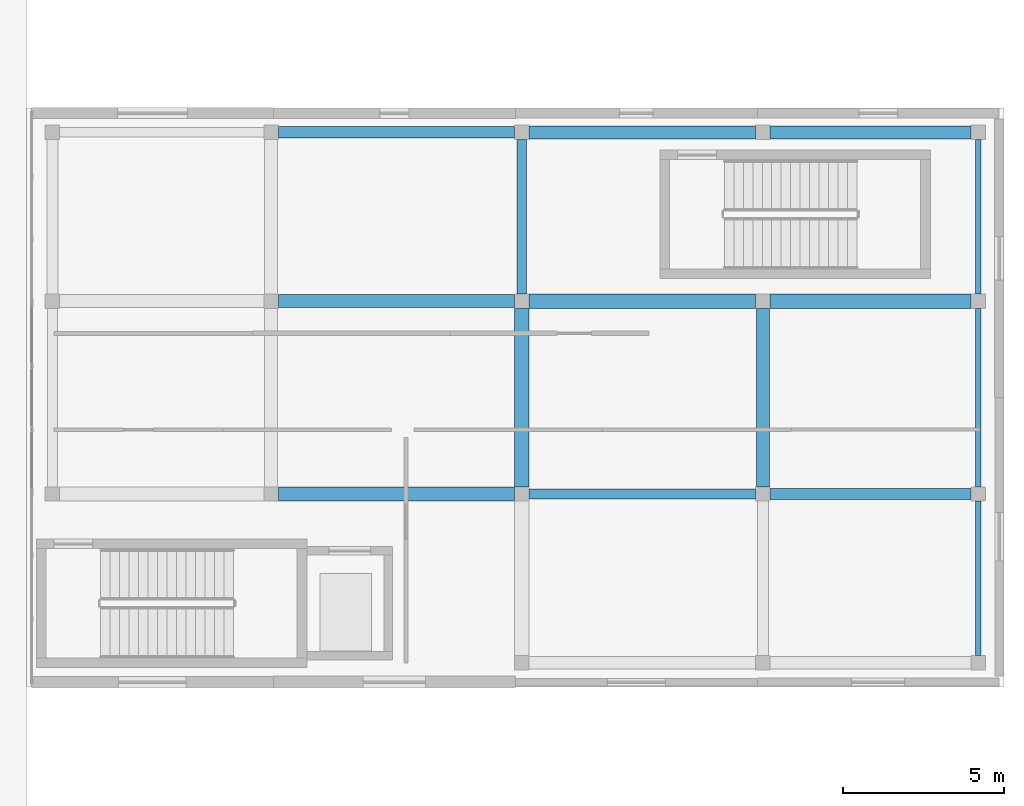
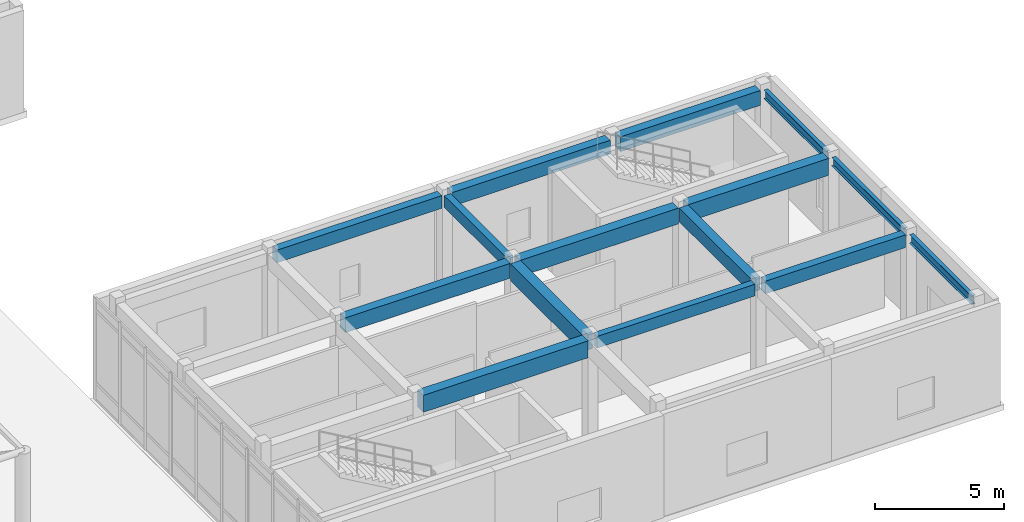
# One storey, part 76 of 121: 15 beams.
"""IFC4 building model written with IfcOpenShell, lengths in metres."""

from ifc_helpers import new_model, si_unit, direction, frame, origin, origin_2d, place, context, subcontext, project, spatial, rectangle, i_section, extrude, material, material_profile, profile_set, type_object, element, save


model = new_model("IFC4")

# Units and contexts
model_context = context("Model", 3, precision=1e-05, world=origin(), true_north=direction((0.0, 1.0)))
body_context = subcontext(model_context, "Body", "Model", "MODEL_VIEW")
ifc_project = project(units=[si_unit("LENGTHUNIT", "METRE"), si_unit("AREAUNIT", "SQUARE_METRE"), si_unit("VOLUMEUNIT", "CUBIC_METRE"), si_unit("PLANEANGLEUNIT", "RADIAN"), si_unit("MASSUNIT", "GRAM", prefix="KILO")], contexts=[model_context])

# Site, building, storey
site_placement = place(None, origin())
site = spatial("IfcSite", under=ifc_project, at=site_placement, CompositionType="ELEMENT")
building_placement = place(site_placement, origin())
building = spatial("IfcBuilding", under=site, at=building_placement, Name="Valcora Specialist Clinic", CompositionType="ELEMENT")
storey_placement = place(building_placement, origin())
storey = spatial("IfcBuildingStorey", under=building, at=storey_placement, Name="L00", CompositionType="ELEMENT", Elevation=0.0)

# Beams
ifc_material_1 = material(Name="Steel ASTM A992 Grade 50", Category="steel")
ifc_material_profile_1 = material_profile(ifc_material_1, i_section(OverallWidth=0.177978515625, OverallDepth=0.406005859375, WebThickness=0.008056640625, FlangeThickness=0.012939453125, at=origin_2d()), Name="ST-IR-410X180")
ifc_profile_set_1 = profile_set([ifc_material_profile_1], Name="Steel ASTM A992 Grade 50")
beam_type_1 = type_object("IfcBeamType", Name="TY-BM-IR410", PredefinedType="SPANDREL", material=ifc_profile_set_1)
beam_1_placement = place(storey_placement, frame((161.199951171875, 38.97509765625, 4.617919921875), z_axis=(0.0, 1.0, 0.0), x_axis=(-1.0, 0.0, 0.0)))
element("IfcBeam", 1, at=beam_1_placement, inside=storey, type_object=beam_type_1, Name="Beam BM-L00-0422", PredefinedType="SPANDREL", context=body_context, shape_type="SweptSolid", body=[
    extrude(i_section(OverallWidth=0.177978515625, OverallDepth=0.406005859375, WebThickness=0.008056640625, FlangeThickness=0.012939453125, at=origin_2d()), origin(), (0.0, 0.0, 1.0), 4.7998046875),
])
beam_2_placement = place(storey_placement, frame((161.199951171875, 44.22509765625, 4.617919921875), z_axis=(0.0, 1.0, 0.0), x_axis=(-1.0, 0.0, 0.0)))
element("IfcBeam", 2, at=beam_2_placement, inside=storey, type_object=beam_type_1, Name="Beam BM-L00-0423", PredefinedType="SPANDREL", context=body_context, shape_type="SweptSolid", body=[
    extrude(i_section(OverallWidth=0.177978515625, OverallDepth=0.406005859375, WebThickness=0.008056640625, FlangeThickness=0.012939453125, at=origin_2d()), origin(), (0.0, 0.0, 1.0), 5.5498046875),
])
beam_3_placement = place(storey_placement, frame((161.199951171875, 50.22509765625, 4.617919921875), z_axis=(0.0, 1.0, 0.0), x_axis=(-1.0, 0.0, 0.0)))
element("IfcBeam", 3, at=beam_3_placement, inside=storey, type_object=beam_type_1, Name="Beam BM-L00-0424", PredefinedType="SPANDREL", context=body_context, shape_type="SweptSolid", body=[
    extrude(i_section(OverallWidth=0.177978515625, OverallDepth=0.406005859375, WebThickness=0.008056640625, FlangeThickness=0.012939453125, at=origin_2d()), origin(), (0.0, 0.0, 1.0), 4.7998046875),
])
ifc_material_2 = material(Name="Concrete C40/50", Category="concrete")
ifc_material_profile_2 = material_profile(ifc_material_2, rectangle(XDim=0.300048828125, YDim=0.550048828125, at=origin_2d()), Name="RC-BM-300X550")
ifc_profile_set_2 = profile_set([ifc_material_profile_2], Name="Concrete C40/50")
beam_type_2 = type_object("IfcBeamType", Name="TY-BM-RC300X550", PredefinedType="BEAM", material=ifc_profile_set_2)
beam_4_placement = place(storey_placement, frame((147.22509765625, 44.0, 4.550048828125), z_axis=(1.0, 0.0, 0.0), x_axis=(0.0, 1.0, 0.0)))
element("IfcBeam", 4, at=beam_4_placement, inside=storey, type_object=beam_type_2, Name="Beam BM-L00-0403", PredefinedType="BEAM", context=body_context, shape_type="SweptSolid", body=[
    extrude(rectangle(XDim=0.300048828125, YDim=0.550048828125, at=origin_2d()), origin(), (0.0, 0.0, 1.0), 7.0498046875),
])
beam_5_placement = place(storey_placement, frame((147.0, 50.22509765625, 4.550048828125), z_axis=(0.0, 1.0, 0.0), x_axis=(-1.0, 0.0, 0.0)))
element("IfcBeam", 5, at=beam_5_placement, inside=storey, type_object=beam_type_2, Name="Beam BM-L00-0419", PredefinedType="BEAM", context=body_context, shape_type="SweptSolid", body=[
    extrude(rectangle(XDim=0.300048828125, YDim=0.550048828125, at=origin_2d()), origin(), (0.0, 0.0, 1.0), 4.7998046875),
])
ifc_material_profile_3 = material_profile(ifc_material_2, rectangle(XDim=0.35009765625, YDim=0.60009765625, at=origin_2d()), Name="RC-BM-350X600")
ifc_profile_set_3 = profile_set([ifc_material_profile_3], Name="Concrete C40/50")
beam_type_3 = type_object("IfcBeamType", Name="TY-BM-RC350X600", PredefinedType="BEAM", material=ifc_profile_set_3)
beam_6_placement = place(storey_placement, frame((154.72509765625, 44.0, 4.52490234375), z_axis=(1.0, 0.0, 0.0), x_axis=(0.0, 1.0, 0.0)))
element("IfcBeam", 6, at=beam_6_placement, inside=storey, type_object=beam_type_3, Name="Beam BM-L00-0404", PredefinedType="BEAM", context=body_context, shape_type="SweptSolid", body=[
    extrude(rectangle(XDim=0.35009765625, YDim=0.60009765625, at=origin_2d()), origin(), (0.0, 0.0, 1.0), 6.25),
])
beam_7_placement = place(storey_placement, frame((139.425048828125, 55.25, 4.52490234375), z_axis=(1.0, 0.0, 0.0), x_axis=(0.0, 1.0, 0.0)))
element("IfcBeam", 7, at=beam_7_placement, inside=storey, type_object=beam_type_3, Name="Beam BM-L00-0410", PredefinedType="BEAM", context=body_context, shape_type="SweptSolid", body=[
    extrude(rectangle(XDim=0.35009765625, YDim=0.60009765625, at=origin_2d()), origin(), (0.0, 0.0, 1.0), 7.349853515625),
])
ifc_material_profile_4 = material_profile(ifc_material_2, rectangle(XDim=0.39990234375, YDim=0.64990234375, at=origin_2d()), Name="RC-BM-400X650")
ifc_profile_set_4 = profile_set([ifc_material_profile_4], Name="Concrete C40/50")
beam_type_4 = type_object("IfcBeamType", Name="TY-BM-RC400X650", PredefinedType="BEAM", material=ifc_profile_set_4)
beam_8_placement = place(storey_placement, frame((147.22509765625, 55.25, 4.5), z_axis=(1.0, 0.0, 0.0), x_axis=(0.0, 1.0, 0.0)))
element("IfcBeam", 8, at=beam_8_placement, inside=storey, type_object=beam_type_4, Name="Beam BM-L00-0411", PredefinedType="BEAM", context=body_context, shape_type="SweptSolid", body=[
    extrude(rectangle(XDim=0.39990234375, YDim=0.64990234375, at=origin_2d()), origin(), (0.0, 0.0, 1.0), 7.0498046875),
])
beam_9_placement = place(storey_placement, frame((154.5, 44.22509765625, 4.5), z_axis=(0.0, 1.0, 0.0), x_axis=(-1.0, 0.0, 0.0)))
element("IfcBeam", 9, at=beam_9_placement, inside=storey, type_object=beam_type_4, Name="Beam BM-L00-0421", PredefinedType="BEAM", context=body_context, shape_type="SweptSolid", body=[
    extrude(rectangle(XDim=0.39990234375, YDim=0.64990234375, at=origin_2d()), origin(), (0.0, 0.0, 1.0), 5.5498046875),
])
ifc_material_profile_5 = material_profile(ifc_material_2, rectangle(XDim=0.39990234375, YDim=0.699951171875, at=origin_2d()), Name="RC-BM-400X700")
ifc_profile_set_5 = profile_set([ifc_material_profile_5], Name="Concrete C40/50")
beam_type_5 = type_object("IfcBeamType", Name="TY-BM-RC400X700", PredefinedType="BEAM", material=ifc_profile_set_5)
beam_10_placement = place(storey_placement, frame((139.425048828125, 50.0, 4.47509765625), z_axis=(1.0, 0.0, 0.0), x_axis=(0.0, 1.0, 0.0)))
element("IfcBeam", 10, at=beam_10_placement, inside=storey, type_object=beam_type_5, Name="Beam BM-L00-0406", PredefinedType="BEAM", context=body_context, shape_type="SweptSolid", body=[
    extrude(rectangle(XDim=0.39990234375, YDim=0.699951171875, at=origin_2d()), origin(), (0.0, 0.0, 1.0), 7.349853515625),
])
beam_11_placement = place(storey_placement, frame((154.72509765625, 55.25, 4.47509765625), z_axis=(1.0, 0.0, 0.0), x_axis=(0.0, 1.0, 0.0)))
element("IfcBeam", 11, at=beam_11_placement, inside=storey, type_object=beam_type_5, Name="Beam BM-L00-0412", PredefinedType="BEAM", context=body_context, shape_type="SweptSolid", body=[
    extrude(rectangle(XDim=0.39990234375, YDim=0.699951171875, at=origin_2d()), origin(), (0.0, 0.0, 1.0), 6.25),
])
ifc_material_profile_6 = material_profile(ifc_material_2, rectangle(XDim=0.449951171875, YDim=0.75, at=origin_2d()), Name="RC-BM-450X750")
ifc_profile_set_6 = profile_set([ifc_material_profile_6], Name="Concrete C40/50")
beam_type_6 = type_object("IfcBeamType", Name="TY-BM-RC450X750", PredefinedType="BEAM", material=ifc_profile_set_6)
beam_12_placement = place(storey_placement, frame((147.22509765625, 50.0, 4.449951171875), z_axis=(1.0, 0.0, 0.0), x_axis=(0.0, 1.0, 0.0)))
element("IfcBeam", 12, at=beam_12_placement, inside=storey, type_object=beam_type_6, Name="Beam BM-L00-0407", PredefinedType="BEAM", context=body_context, shape_type="SweptSolid", body=[
    extrude(rectangle(XDim=0.449951171875, YDim=0.75, at=origin_2d()), origin(), (0.0, 0.0, 1.0), 7.0498046875),
])
ifc_material_profile_7 = material_profile(ifc_material_2, rectangle(XDim=0.449951171875, YDim=0.800048828125, at=origin_2d()), Name="RC-BM-450X800")
ifc_profile_set_7 = profile_set([ifc_material_profile_7], Name="Concrete C40/50")
beam_type_7 = type_object("IfcBeamType", Name="TY-BM-RC450X800", PredefinedType="BEAM", material=ifc_profile_set_7)
beam_13_placement = place(storey_placement, frame((139.425048828125, 44.0, 4.425048828125), z_axis=(1.0, 0.0, 0.0), x_axis=(0.0, 1.0, 0.0)))
element("IfcBeam", 13, at=beam_13_placement, inside=storey, type_object=beam_type_7, Name="Beam BM-L00-0402", PredefinedType="BEAM", context=body_context, shape_type="SweptSolid", body=[
    extrude(rectangle(XDim=0.449951171875, YDim=0.800048828125, at=origin_2d()), origin(), (0.0, 0.0, 1.0), 7.349853515625),
])
beam_14_placement = place(storey_placement, frame((154.72509765625, 50.0, 4.425048828125), z_axis=(1.0, 0.0, 0.0), x_axis=(0.0, 1.0, 0.0)))
element("IfcBeam", 14, at=beam_14_placement, inside=storey, type_object=beam_type_7, Name="Beam BM-L00-0408", PredefinedType="BEAM", context=body_context, shape_type="SweptSolid", body=[
    extrude(rectangle(XDim=0.449951171875, YDim=0.800048828125, at=origin_2d()), origin(), (0.0, 0.0, 1.0), 6.25),
])
beam_15_placement = place(storey_placement, frame((147.0, 44.22509765625, 4.425048828125), z_axis=(0.0, 1.0, 0.0), x_axis=(-1.0, 0.0, 0.0)))
element("IfcBeam", 15, at=beam_15_placement, inside=storey, type_object=beam_type_7, Name="Beam BM-L00-0418", PredefinedType="BEAM", context=body_context, shape_type="SweptSolid", body=[
    extrude(rectangle(XDim=0.449951171875, YDim=0.800048828125, at=origin_2d()), origin(), (0.0, 0.0, 1.0), 5.5498046875),
])

save(model, "model.ifc")
